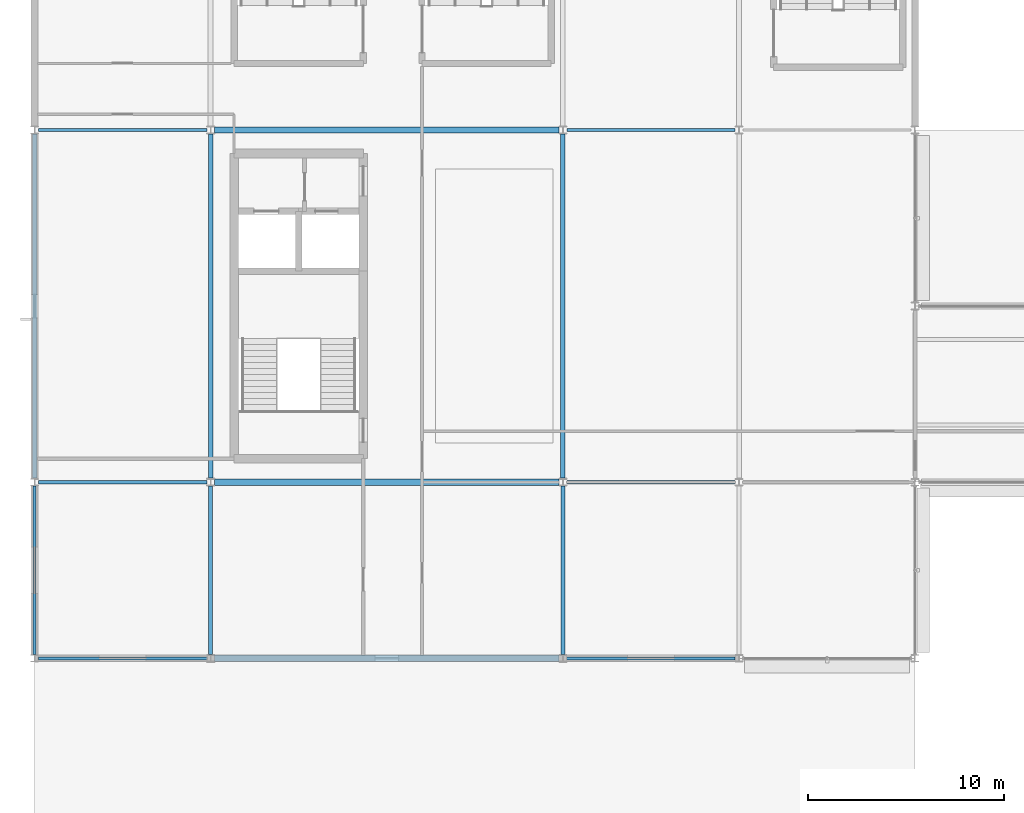
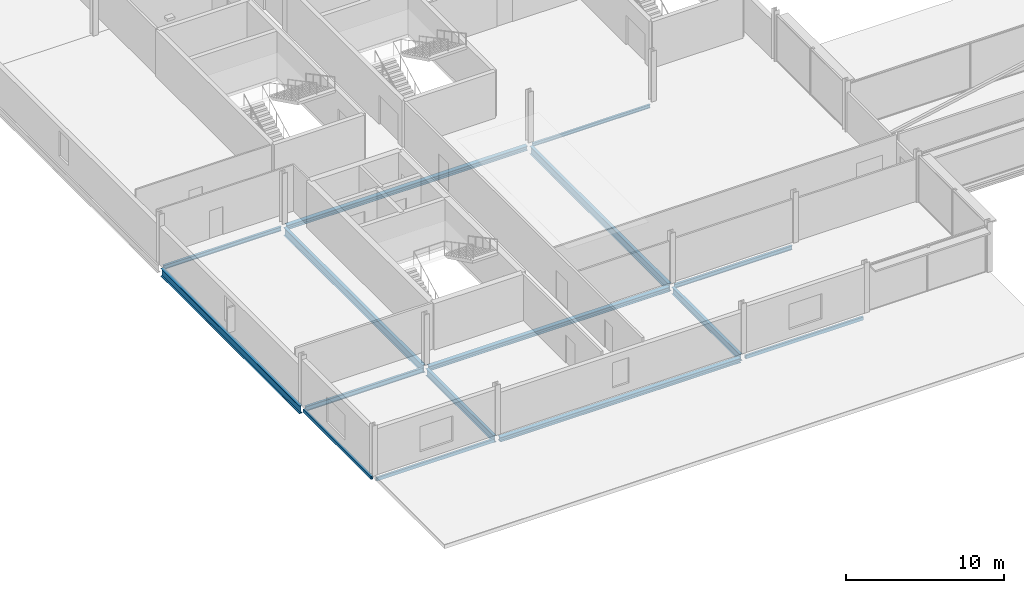
# One storey, part 18 of 105: 15 beams.
"""IFC4 building model written with IfcOpenShell, lengths in metres."""

from ifc_helpers import new_model, si_unit, direction, frame, origin, origin_2d, place, context, subcontext, project, spatial, hollow_rectangle, i_section, extrude, material, material_profile, profile_set, type_object, element, save


model = new_model("IFC4")

# Units and contexts
model_context = context("Model", 3, precision=1e-05, world=origin(), true_north=direction((0.0, 1.0)))
body_context = subcontext(model_context, "Body", "Model", "MODEL_VIEW")
ifc_project = project(units=[si_unit("LENGTHUNIT", "METRE"), si_unit("AREAUNIT", "SQUARE_METRE"), si_unit("VOLUMEUNIT", "CUBIC_METRE"), si_unit("PLANEANGLEUNIT", "RADIAN"), si_unit("MASSUNIT", "GRAM", prefix="KILO")], contexts=[model_context])

# Site, building, storey
site_placement = place(None, origin())
site = spatial("IfcSite", under=ifc_project, at=site_placement, CompositionType="ELEMENT")
building_placement = place(site_placement, origin())
building = spatial("IfcBuilding", under=site, at=building_placement, Name="Kisiwana Market Hall", CompositionType="ELEMENT")
storey_placement = place(building_placement, frame((0.0, 0.0, 21.60009765625)))
storey = spatial("IfcBuildingStorey", under=building, at=storey_placement, Name="L04", CompositionType="ELEMENT", Elevation=21.60009765625)

# Beams
ifc_material_1 = material(Name="Steel S355", Category="steel")
ifc_material_profile_1 = material_profile(ifc_material_1, i_section(OverallWidth=0.209228515625, OverallDepth=0.533203125, WebThickness=0.010009765625, FlangeThickness=0.015625, at=origin_2d()), Name="UB 533x210x92")
ifc_profile_set_1 = profile_set([ifc_material_profile_1], Name="Steel S355")
beam_type_1 = type_object("IfcBeamType", Name="BM-GIRD-UB533", PredefinedType="BEAM", material=ifc_profile_set_1)
for number, where, z_axis, x_axis, name in (
    (1, (9.0, 9.19287109375, -0.51171875), (0.0, 1.0, 0.0), (-1.0, 0.0, 0.0), "Primary girder B-1341"),
    (2, (27.0, 9.19287109375, -0.51171875), (0.0, 1.0, 0.0), (-1.0, 0.0, 0.0), "Primary girder B-1347"),
):
    element("IfcBeam", number, at=place(storey_placement, frame(where, z_axis=z_axis, x_axis=x_axis)), inside=storey, type_object=beam_type_1, Name=name, PredefinedType="BEAM", context=body_context, shape_type="SweptSolid", body=[
        extrude(i_section(OverallWidth=0.209228515625, OverallDepth=0.533203125, WebThickness=0.010009765625, FlangeThickness=0.015625, at=origin_2d()), origin(), (0.0, 0.0, 1.0), 8.60302734375),
    ])
ifc_material_2 = material(Name="Steel S355", Category="steel")
ifc_material_profile_2 = material_profile(ifc_material_2, i_section(OverallWidth=0.22900390625, OverallDepth=0.6123046875, WebThickness=0.011962890625, FlangeThickness=0.01953125, at=origin_2d()), Name="UB 610x229x125")
ifc_profile_set_2 = profile_set([ifc_material_profile_2], Name="Steel S355")
beam_type_2 = type_object("IfcBeamType", Name="BM-GIRD-UB610H", PredefinedType="BEAM", material=ifc_profile_set_2)
for number, where, z_axis, x_axis, name in (
    (3, (0.0, 18.2041015625, -0.55126953125), (0.0, 1.0, 0.0), (-1.0, 0.0, 0.0), "Floor beam B-1490"),
    (4, (9.0, 18.2041015625, -0.55126953125), (0.0, 1.0, 0.0), (-1.0, 0.0, 0.0), "Primary girder B-1342"),
    (5, (27.0, 18.2041015625, -0.55126953125), (0.0, 1.0, 0.0), (-1.0, 0.0, 0.0), "Primary girder B-1348"),
):
    element("IfcBeam", number, at=place(storey_placement, frame(where, z_axis=z_axis, x_axis=x_axis)), inside=storey, type_object=beam_type_2, Name=name, PredefinedType="BEAM", context=body_context, shape_type="SweptSolid", body=[
        extrude(i_section(OverallWidth=0.22900390625, OverallDepth=0.6123046875, WebThickness=0.011962890625, FlangeThickness=0.01953125, at=origin_2d()), origin(), (0.0, 0.0, 1.0), 17.591796875),
    ])
ifc_material_3 = material(Name="Steel S355", Category="steel")
ifc_material_profile_3 = material_profile(ifc_material_3, i_section(OverallWidth=0.146484375, OverallDepth=0.256103515625, WebThickness=0.00634765625, FlangeThickness=0.010986328125, at=origin_2d()), Name="UB 254x146x37")
ifc_profile_set_3 = profile_set([ifc_material_profile_3], Name="Steel S355")
beam_type_3 = type_object("IfcBeamType", Name="BM-JOIST-UB254", PredefinedType="JOIST", material=ifc_profile_set_3)
beam_1_placement = place(storey_placement, frame((27.198974609375, 36.0, -0.373046875), z_axis=(1.0, 0.0, 0.0), x_axis=(0.0, 1.0, 0.0)))
element("IfcBeam", 6, at=beam_1_placement, inside=storey, type_object=beam_type_3, Name="Floor beam B-1445", PredefinedType="JOIST", context=body_context, shape_type="SweptSolid", body=[
    extrude(i_section(OverallWidth=0.146484375, OverallDepth=0.256103515625, WebThickness=0.00634765625, FlangeThickness=0.010986328125, at=origin_2d()), origin(), (0.0, 0.0, 1.0), 8.60205078125),
])
ifc_material_4 = material(Name="Steel S355", Category="steel")
ifc_material_profile_4 = material_profile(ifc_material_4, i_section(OverallWidth=0.1650390625, OverallDepth=0.303466796875, WebThickness=0.006103515625, FlangeThickness=0.01025390625, at=origin_2d()), Name="UB 305x165x40")
ifc_profile_set_4 = profile_set([ifc_material_profile_4], Name="Steel S355")
beam_type_4 = type_object("IfcBeamType", Name="BM-JOIST-UB305", PredefinedType="JOIST", material=ifc_profile_set_4)
beam_2_placement = place(storey_placement, frame((27.198974609375, 18.0, -0.396728515625), z_axis=(1.0, 0.0, 0.0), x_axis=(0.0, 1.0, 0.0)))
element("IfcBeam", 7, at=beam_2_placement, inside=storey, type_object=beam_type_4, Name="Floor beam B-1425", PredefinedType="JOIST", context=body_context, shape_type="SweptSolid", body=[
    extrude(i_section(OverallWidth=0.1650390625, OverallDepth=0.303466796875, WebThickness=0.006103515625, FlangeThickness=0.01025390625, at=origin_2d()), origin(), (0.0, 0.0, 1.0), 8.60205078125),
])
ifc_material_5 = material(Name="Steel S355", Category="steel")
ifc_material_profile_5 = material_profile(ifc_material_5, i_section(OverallWidth=0.165771484375, OverallDepth=0.306640625, WebThickness=0.006591796875, FlangeThickness=0.01171875, at=origin_2d()), Name="UB 305x165x46")
ifc_profile_set_5 = profile_set([ifc_material_profile_5], Name="Steel S355")
beam_type_5 = type_object("IfcBeamType", Name="BM-JOIST-UB305H", PredefinedType="JOIST", material=ifc_profile_set_5)
beam_3_placement = place(storey_placement, frame((0.198974609375, 36.0, -0.3984375), z_axis=(1.0, 0.0, 0.0), x_axis=(0.0, 1.0, 0.0)))
element("IfcBeam", 8, at=beam_3_placement, inside=storey, type_object=beam_type_5, Name="Floor beam B-1443", PredefinedType="JOIST", context=body_context, shape_type="SweptSolid", body=[
    extrude(i_section(OverallWidth=0.165771484375, OverallDepth=0.306640625, WebThickness=0.006591796875, FlangeThickness=0.01171875, at=origin_2d()), origin(), (0.0, 0.0, 1.0), 8.60205078125),
])
ifc_material_6 = material(Name="Steel S355", Category="steel")
ifc_material_profile_6 = material_profile(ifc_material_6, i_section(OverallWidth=0.17138671875, OverallDepth=0.35498046875, WebThickness=0.00732421875, FlangeThickness=0.011474609375, at=origin_2d()), Name="UB 356x171x51")
ifc_profile_set_6 = profile_set([ifc_material_profile_6], Name="Steel S355")
beam_type_6 = type_object("IfcBeamType", Name="BM-JOIST-UB356", PredefinedType="JOIST", material=ifc_profile_set_6)
beam_4_placement = place(storey_placement, frame((0.198974609375, 18.0, -0.422607421875), z_axis=(1.0, 0.0, 0.0), x_axis=(0.0, 1.0, 0.0)))
element("IfcBeam", 9, at=beam_4_placement, inside=storey, type_object=beam_type_6, Name="Floor beam B-1423", PredefinedType="JOIST", context=body_context, shape_type="SweptSolid", body=[
    extrude(i_section(OverallWidth=0.17138671875, OverallDepth=0.35498046875, WebThickness=0.00732421875, FlangeThickness=0.011474609375, at=origin_2d()), origin(), (0.0, 0.0, 1.0), 8.60205078125),
])
ifc_material_7 = material(Name="Steel S355", Category="steel")
ifc_material_profile_7 = material_profile(ifc_material_7, i_section(OverallWidth=0.314453125, OverallDepth=0.33984375, WebThickness=0.01904296875, FlangeThickness=0.031494140625, at=origin_2d()), Name="UC 305x305x198")
ifc_profile_set_7 = profile_set([ifc_material_profile_7], Name="Steel S355")
beam_type_7 = type_object("IfcBeamType", Name="BM-SKYBR-CHORD", PredefinedType="BEAM", material=ifc_profile_set_7)
beam_5_placement = place(storey_placement, frame((9.195556640625, 9.0, -0.462158203125), z_axis=(1.0, 0.0, 0.0), x_axis=(0.0, 1.0, 0.0)))
element("IfcBeam", 10, at=beam_5_placement, inside=storey, type_object=beam_type_7, Name="Floor beam B-1416", PredefinedType="BEAM", context=body_context, shape_type="SweptSolid", body=[
    extrude(i_section(OverallWidth=0.314453125, OverallDepth=0.33984375, WebThickness=0.01904296875, FlangeThickness=0.031494140625, at=origin_2d()), origin(), (0.0, 0.0, 1.0), 17.60888671875),
])
for number, where, z_axis, x_axis, name in (
    (11, (9.198974609375, 18.0, -0.4150390625), (1.0, 0.0, 0.0), (0.0, 1.0, 0.0), "Floor beam B-1424"),
    (12, (9.198974609375, 36.0, -0.4150390625), (1.0, 0.0, 0.0), (0.0, 1.0, 0.0), "Floor beam B-1444"),
):
    element("IfcBeam", number, at=place(storey_placement, frame(where, z_axis=z_axis, x_axis=x_axis)), inside=storey, type_object=beam_type_7, Name=name, PredefinedType="BEAM", context=body_context, shape_type="SweptSolid", body=[
        extrude(i_section(OverallWidth=0.314453125, OverallDepth=0.33984375, WebThickness=0.01904296875, FlangeThickness=0.031494140625, at=origin_2d()), origin(), (0.0, 0.0, 1.0), 17.60205078125),
    ])
ifc_material_8 = material(Name="Steel S355", Category="steel")
ifc_material_profile_8 = material_profile(ifc_material_8, hollow_rectangle(XDim=0.14990234375, YDim=0.25, WallThickness=0.010009765625, at=origin_2d()), Name="RHS 250x150x10.0")
ifc_profile_set_8 = profile_set([ifc_material_profile_8], Name="Steel S355")
beam_type_8 = type_object("IfcBeamType", Name="BM-SPAN-RHS250", PredefinedType="SPANDREL", material=ifc_profile_set_8)
for number, where, z_axis, x_axis, name in (
    (13, (0.195556640625, 9.0, -0.4169921875), (1.0, 0.0, 0.0), (0.0, 1.0, 0.0), "Floor beam B-1415"),
    (14, (27.195556640625, 9.0, -0.4169921875), (1.0, 0.0, 0.0), (0.0, 1.0, 0.0), "Floor beam B-1417"),
):
    element("IfcBeam", number, at=place(storey_placement, frame(where, z_axis=z_axis, x_axis=x_axis)), inside=storey, type_object=beam_type_8, Name=name, PredefinedType="SPANDREL", context=body_context, shape_type="SweptSolid", body=[
        extrude(hollow_rectangle(XDim=0.14990234375, YDim=0.25, WallThickness=0.010009765625, at=origin_2d()), origin(), (0.0, 0.0, 1.0), 8.60888671875),
    ])
beam_6_placement = place(storey_placement, frame((0.0, 9.19287109375, -0.3701171875), z_axis=(0.0, 1.0, 0.0), x_axis=(-1.0, 0.0, 0.0)))
element("IfcBeam", 15, at=beam_6_placement, inside=storey, type_object=beam_type_8, Name="Floor beam B-1489", PredefinedType="SPANDREL", context=body_context, shape_type="SweptSolid", body=[
    extrude(hollow_rectangle(XDim=0.14990234375, YDim=0.25, WallThickness=0.010009765625, at=origin_2d()), origin(), (0.0, 0.0, 1.0), 8.60302734375),
])

save(model, "model.ifc")
